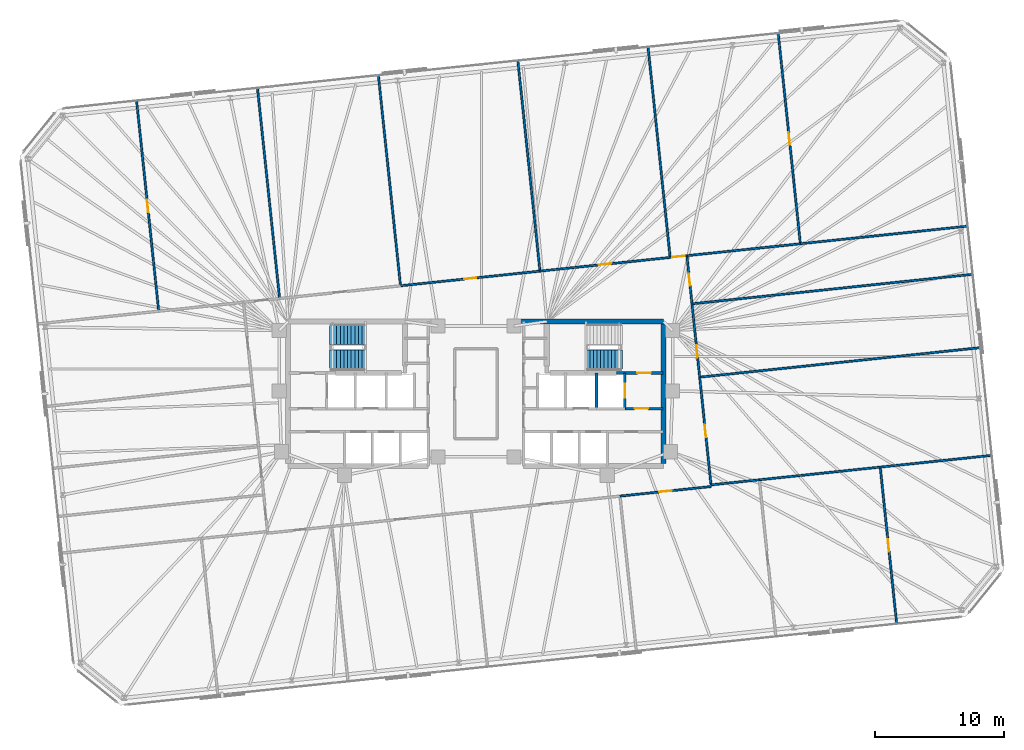
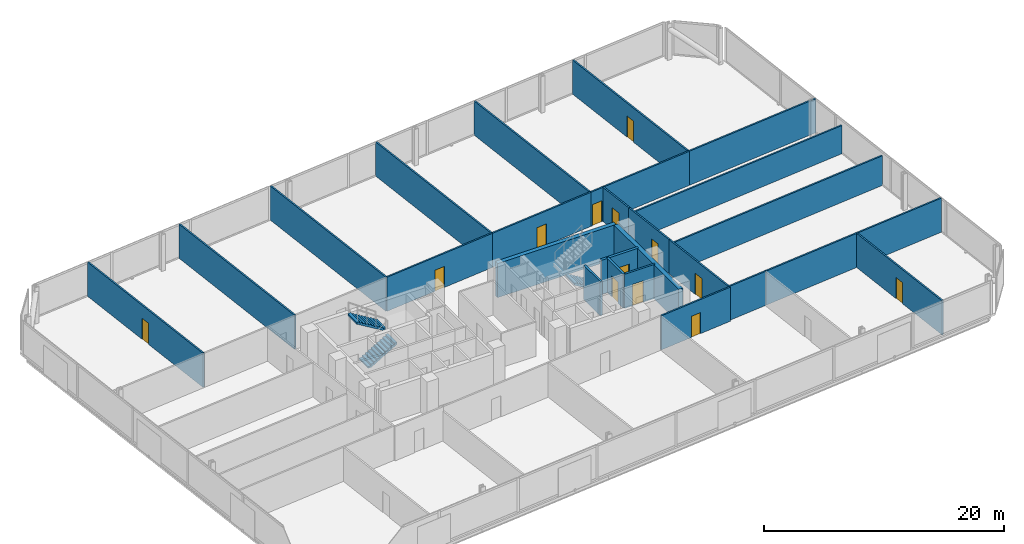
# One storey, part 16 of 18: 27 walls, 13 doors, 3 stair flights, 13 openings, 2 elements without a shape of their own.
"""IFC4 building model written with IfcOpenShell, lengths in metres."""

from ifc_helpers import new_model, si_unit, direction, frame, frame_2d, origin, place, context, subcontext, project, spatial, polyline, rectangle, outline, extrude, material, layer, layer_set, type_object, element, fill, aggregate, save


model = new_model("IFC4")

# Units and contexts
model_context = context("Model", 3, precision=1e-05, world=origin(), true_north=direction((0.0, 1.0)))
body_context = subcontext(model_context, "Body", "Model", "MODEL_VIEW")
ifc_project = project(units=[si_unit("LENGTHUNIT", "METRE"), si_unit("AREAUNIT", "SQUARE_METRE"), si_unit("VOLUMEUNIT", "CUBIC_METRE"), si_unit("PLANEANGLEUNIT", "RADIAN"), si_unit("MASSUNIT", "GRAM", prefix="KILO")], contexts=[model_context])

# Site, building, storey
site_placement = place(None, origin())
site = spatial("IfcSite", under=ifc_project, at=site_placement, CompositionType="ELEMENT")
building_placement = place(site_placement, origin())
building = spatial("IfcBuilding", under=site, at=building_placement, Name="Menara Jurai Vektor", CompositionType="ELEMENT")
storey_placement = place(building_placement, frame((0.0, 0.0, 98.5)))
storey = spatial("IfcBuildingStorey", under=building, at=storey_placement, Name="L24", CompositionType="ELEMENT", Elevation=98.5)

# Wall, opening, door
ifc_material_1 = material(Name="Concrete C40/50", Category="concrete")
ifc_layer_1 = layer(ifc_material_1, 0.25)
ifc_layer_set_1 = layer_set([ifc_layer_1], Name="Concrete C40/50")
wall_type_1 = type_object("IfcWallType", Name="INT-WALL-CORE-250", PredefinedType="STANDARD", material=ifc_layer_set_1)
wall_1_placement = place(storey_placement, frame((10.89990234375, 1.60009765625, 0.0), z_axis=(0.0, 0.0, 1.0), x_axis=(1.0, 0.0, 0.0)))
wall_1 = element("IfcWall", 1, at=wall_1_placement, inside=storey, type_object=wall_type_1, Name="Interior Wall IW-250 L24", PredefinedType="STANDARD", context=body_context, shape_type="SweptSolid", body=[
    extrude(rectangle(XDim=3.60009765625, YDim=0.25, at=frame_2d((1.800048828125, 0.0))), origin(), (0.0, 0.0, 1.0), 3.47509765625),
])
opening_1_placement = place(wall_1_placement, frame((1.6201171875, 0.0, 0.0)))
opening_1 = element("IfcOpeningElement", 2, at=opening_1_placement, cuts=wall_1, Name="Opening D-L24-ST2", PredefinedType="OPENING", context=body_context, shape_type="SweptSolid", body=[
    extrude(rectangle(XDim=1.050048828125, YDim=2.14990234375, at=frame_2d((0.52490234375, 1.074951171875))), frame((0.0, 0.135009765625, 0.0), z_axis=(0.0, -1.0, 0.0), x_axis=(1.0, 0.0, 0.0)), (0.0, 0.0, 1.0), 0.27001953125),
])
ifc_material_2 = material(Name="Fire-Rated Steel Door", Category="steel")
door_type_1 = type_object("IfcDoorType", Name="DR-STAIR-1050", OperationType="NOTDEFINED", PredefinedType="DOOR", material=ifc_material_2)
door_1_placement = place(opening_1_placement, origin())
door_1 = element("IfcDoor", 3, at=door_1_placement, inside=storey, type_object=door_type_1, Name="Exit Stair ST2 Door L24", OperationType="SINGLE_SWING_LEFT", OverallHeight=2.14990234375, OverallWidth=1.050048828125, PredefinedType="DOOR", context=body_context, shape_type="SweptSolid", body=[
    extrude(rectangle(XDim=1.050048828125, YDim=2.14990234375, at=frame_2d((0.52490234375, 1.074951171875))), frame((0.0, 0.02490234375, 0.0), z_axis=(0.0, -1.0, 0.0), x_axis=(1.0, 0.0, 0.0)), (0.0, 0.0, 1.0), 0.050048828125),
])
fill(opening_1, door_1)

wall_2_placement = place(storey_placement, frame((11.550048828125, -1.14990234375, 0.0), z_axis=(0.0, 0.0, 1.0), x_axis=(0.0, 1.0, 0.0)))
wall_2 = element("IfcWall", 4, at=wall_2_placement, inside=storey, type_object=wall_type_1, Name="Interior Wall IW-250 L24", PredefinedType="STANDARD", context=body_context, shape_type="SweptSolid", body=[
    extrude(rectangle(XDim=2.75, YDim=0.199951171875, at=frame_2d((1.375, 0.0))), origin(), (0.0, 0.0, 1.0), 3.47509765625),
])
opening_2_placement = place(wall_2_placement, frame((0.824951171875, 0.0, 0.0)))
opening_2 = element("IfcOpeningElement", 5, at=opening_2_placement, cuts=wall_2, Name="Opening LD-L24-FL2", PredefinedType="OPENING", context=body_context, shape_type="SweptSolid", body=[
    extrude(rectangle(XDim=1.10009765625, YDim=2.14990234375, at=frame_2d((0.550048828125, 1.074951171875))), frame((0.0, 0.10986328125, 0.0), z_axis=(0.0, -1.0, 0.0), x_axis=(1.0, 0.0, 0.0)), (0.0, 0.0, 1.0), 0.219970703125),
])
ifc_material_3 = material(Name="Stainless Steel Sliding Lift Landing Door", Category="steel")
door_type_2 = type_object("IfcDoorType", Name="DR-LIFT-FIRE-1100", OperationType="NOTDEFINED", PredefinedType="DOOR", material=ifc_material_3)
door_2_placement = place(opening_2_placement, origin())
door_2 = element("IfcDoor", 6, at=door_2_placement, inside=storey, type_object=door_type_2, Name="Lift Landing Door FL2 L24", OperationType="SLIDING_TO_RIGHT", OverallHeight=2.14990234375, OverallWidth=1.10009765625, PredefinedType="DOOR", context=body_context, shape_type="SweptSolid", body=[
    extrude(rectangle(XDim=1.10009765625, YDim=2.14990234375, at=frame_2d((0.550048828125, 1.074951171875))), frame((0.0, 0.02490234375, 0.0), z_axis=(0.0, -1.0, 0.0), x_axis=(1.0, 0.0, 0.0)), (0.0, 0.0, 1.0), 0.050048828125),
])
fill(opening_2, door_2)

# Wall
wall_3_placement = place(storey_placement, frame((9.35009765625, -1.14990234375, 0.0), z_axis=(0.0, 0.0, 1.0), x_axis=(0.0, 1.0, 0.0)))
element("IfcWall", 7, at=wall_3_placement, inside=storey, type_object=wall_type_1, Name="Interior Wall IW-250 L24", PredefinedType="STANDARD", context=body_context, shape_type="SweptSolid", body=[
    extrude(rectangle(XDim=2.75, YDim=0.199951171875, at=frame_2d((1.375, 0.0))), origin(), (0.0, 0.0, 1.0), 3.47509765625),
])

# Wall, opening, door
wall_4_placement = place(storey_placement, frame((11.550048828125, -1.14990234375, 0.0), z_axis=(0.0, 0.0, 1.0), x_axis=(1.0, 0.0, 0.0)))
wall_4 = element("IfcWall", 8, at=wall_4_placement, inside=storey, type_object=wall_type_1, Name="Interior Wall IW-250 L24", PredefinedType="STANDARD", context=body_context, shape_type="SweptSolid", body=[
    extrude(rectangle(XDim=2.949951171875, YDim=0.199951171875, at=frame_2d((1.47509765625, 0.0))), origin(), (0.0, 0.0, 1.0), 3.47509765625),
])
opening_3_placement = place(wall_4_placement, frame((0.75, 0.0, 0.0)))
opening_3 = element("IfcOpeningElement", 9, at=opening_3_placement, cuts=wall_4, Name="Opening D-L24-FFE", PredefinedType="OPENING", context=body_context, shape_type="SweptSolid", body=[
    extrude(rectangle(XDim=1.050048828125, YDim=2.179931640625, at=frame_2d((0.52490234375, 1.08984375))), frame((0.0, 0.10986328125, 0.0), z_axis=(0.0, -1.0, 0.0), x_axis=(1.0, 0.0, 0.0)), (0.0, 0.0, 1.0), 0.219970703125),
])
ifc_material_4 = material(Name="Fire-Rated Timber Door", Category="wood")
door_type_3 = type_object("IfcDoorType", Name="DR-LOBBY-1050", OperationType="NOTDEFINED", PredefinedType="DOOR", material=ifc_material_4)
door_3_placement = place(opening_3_placement, origin())
door_3 = element("IfcDoor", 10, at=door_3_placement, inside=storey, type_object=door_type_3, Name="Fire Lift Lobby Door E L24", OperationType="SINGLE_SWING_LEFT", OverallHeight=2.179931640625, OverallWidth=1.050048828125, PredefinedType="DOOR", context=body_context, shape_type="SweptSolid", body=[
    extrude(rectangle(XDim=1.050048828125, YDim=2.179931640625, at=frame_2d((0.52490234375, 1.08984375))), frame((0.0, 0.02490234375, 0.0), z_axis=(0.0, -1.0, 0.0), x_axis=(1.0, 0.0, 0.0)), (0.0, 0.0, 1.0), 0.050048828125),
])
fill(opening_3, door_3)

ifc_material_5 = material(Name="Gypsum Fireboard Partition", Category="gypsum")
ifc_layer_2 = layer(ifc_material_5, 0.14990234375)
ifc_layer_set_2 = layer_set([ifc_layer_2], Name="Gypsum Fireboard Partition")
wall_type_2 = type_object("IfcWallType", Name="INT-WALL-CORR-150", PredefinedType="PARTITIONING", material=ifc_layer_set_2)
wall_5_placement = place(storey_placement, frame((-5.846435546875, 8.369873046875, 0.0), z_axis=(0.0, 0.0, 1.0), x_axis=(0.994522169869, 0.104525851533, 0.0)))
wall_5 = element("IfcWall", 11, at=wall_5_placement, inside=storey, type_object=wall_type_2, Name="Interior Wall IW-150 L24", PredefinedType="PARTITIONING", context=body_context, shape_type="SweptSolid", body=[
    extrude(rectangle(XDim=10.875, YDim=0.14990234375, at=frame_2d((5.4375, 0.0))), origin(), (0.0, 0.0, 1.0), 3.47509765625),
])
opening_4_placement = place(wall_5_placement, frame((4.96240234375, 0.0, 0.0)))
opening_4 = element("IfcOpeningElement", 12, at=opening_4_placement, cuts=wall_5, Name="Opening D24-11", PredefinedType="OPENING", context=body_context, shape_type="SweptSolid", body=[
    extrude(rectangle(XDim=0.949951171875, YDim=2.14990234375, at=frame_2d((0.47509765625, 1.074951171875))), frame((0.0, 0.0849609375, 0.0), z_axis=(0.0, -1.0, 0.0), x_axis=(1.0, 0.0, 0.0)), (0.0, 0.0, 1.0), 0.169921875),
])
ifc_material_6 = material(Name="Solid Core Timber Fire Door", Category="wood")
door_type_4 = type_object("IfcDoorType", Name="DR-ENTRY-950", OperationType="NOTDEFINED", PredefinedType="DOOR", material=ifc_material_6)
door_4_placement = place(opening_4_placement, origin())
door_4 = element("IfcDoor", 13, at=door_4_placement, inside=storey, type_object=door_type_4, Name="Interior Door D24-11", OperationType="SINGLE_SWING_RIGHT", OverallHeight=2.14990234375, OverallWidth=0.949951171875, PredefinedType="DOOR", context=body_context, shape_type="SweptSolid", body=[
    extrude(rectangle(XDim=0.949951171875, YDim=2.14990234375, at=frame_2d((0.47509765625, 1.074951171875))), frame((0.0, 0.02490234375, 0.0), z_axis=(0.0, -1.0, 0.0), x_axis=(1.0, 0.0, 0.0)), (0.0, 0.0, 1.0), 0.050048828125),
])
fill(opening_4, door_4)

wall_6_placement = place(storey_placement, frame((4.968994140625, 9.506591796875, 0.0), z_axis=(0.0, 0.0, 1.0), x_axis=(0.994521257273, 0.104534534165, 0.0)))
wall_6 = element("IfcWall", 14, at=wall_6_placement, inside=storey, type_object=wall_type_2, Name="Interior Wall IW-150 L24", PredefinedType="PARTITIONING", context=body_context, shape_type="SweptSolid", body=[
    extrude(rectangle(XDim=10.150146484375, YDim=0.14990234375, at=frame_2d((5.0751953125, 0.0))), origin(), (0.0, 0.0, 1.0), 3.47509765625),
])
opening_5_placement = place(wall_6_placement, frame((4.60009765625, 0.0, 0.0)))
opening_5 = element("IfcOpeningElement", 15, at=opening_5_placement, cuts=wall_6, Name="Opening D24-12", PredefinedType="OPENING", context=body_context, shape_type="SweptSolid", body=[
    extrude(rectangle(XDim=0.949951171875, YDim=2.14990234375, at=frame_2d((0.47509765625, 1.074951171875))), frame((0.0, 0.0849609375, 0.0), z_axis=(0.0, -1.0, 0.0), x_axis=(1.0, 0.0, 0.0)), (0.0, 0.0, 1.0), 0.169921875),
])
door_5_placement = place(opening_5_placement, origin())
door_5 = element("IfcDoor", 16, at=door_5_placement, inside=storey, type_object=door_type_4, Name="Interior Door D24-12", OperationType="SINGLE_SWING_LEFT", OverallHeight=2.14990234375, OverallWidth=0.949951171875, PredefinedType="DOOR", context=body_context, shape_type="SweptSolid", body=[
    extrude(rectangle(XDim=0.949951171875, YDim=2.14990234375, at=frame_2d((0.47509765625, 1.074951171875))), frame((0.0, 0.02490234375, 0.0), z_axis=(0.0, -1.0, 0.0), x_axis=(1.0, 0.0, 0.0)), (0.0, 0.0, 1.0), 0.050048828125),
])
fill(opening_5, door_5)

wall_7_placement = place(storey_placement, frame((15.0634765625, 10.567626953125, 0.0), z_axis=(0.0, 0.0, 1.0), x_axis=(0.994533054704, 0.104422234707, 0.0)))
wall_7 = element("IfcWall", 17, at=wall_7_placement, inside=storey, type_object=wall_type_2, Name="Interior Wall IW-150 L24", PredefinedType="PARTITIONING", context=body_context, shape_type="SweptSolid", body=[
    extrude(rectangle(XDim=1.306884765625, YDim=0.14990234375, at=frame_2d((0.6533203125, 0.0))), origin(), (0.0, 0.0, 1.0), 3.47509765625),
])
opening_6_placement = place(wall_7_placement, frame((0.178466796875, 0.0, 0.0)))
opening_6 = element("IfcOpeningElement", 18, at=opening_6_placement, cuts=wall_7, Name="Opening D24-13", PredefinedType="OPENING", context=body_context, shape_type="SweptSolid", body=[
    extrude(rectangle(XDim=0.949951171875, YDim=2.14990234375, at=frame_2d((0.47509765625, 1.074951171875))), frame((0.0, 0.0849609375, 0.0), z_axis=(0.0, -1.0, 0.0), x_axis=(1.0, 0.0, 0.0)), (0.0, 0.0, 1.0), 0.169921875),
])
door_6_placement = place(opening_6_placement, origin())
door_6 = element("IfcDoor", 19, at=door_6_placement, inside=storey, type_object=door_type_4, Name="Interior Door D24-13", OperationType="SINGLE_SWING_RIGHT", OverallHeight=2.14990234375, OverallWidth=0.949951171875, PredefinedType="DOOR", context=body_context, shape_type="SweptSolid", body=[
    extrude(rectangle(XDim=0.949951171875, YDim=2.14990234375, at=frame_2d((0.47509765625, 1.074951171875))), frame((0.0, 0.02490234375, 0.0), z_axis=(0.0, -1.0, 0.0), x_axis=(1.0, 0.0, 0.0)), (0.0, 0.0, 1.0), 0.050048828125),
])
fill(opening_6, door_6)

wall_8_placement = place(storey_placement, frame((11.176513671875, -7.93798828125, 0.0), z_axis=(0.0, 0.0, 1.0), x_axis=(0.994525011473, 0.104498811264, 0.0)))
wall_8 = element("IfcWall", 20, at=wall_8_placement, inside=storey, type_object=wall_type_2, Name="Interior Wall IW-150 L24", PredefinedType="PARTITIONING", context=body_context, shape_type="SweptSolid", body=[
    extrude(rectangle(XDim=7.10693359375, YDim=0.14990234375, at=frame_2d((3.553466796875, 0.0))), origin(), (0.0, 0.0, 1.0), 3.47509765625),
])
opening_7_placement = place(wall_8_placement, frame((3.07861328125, 0.0, 0.0)))
opening_7 = element("IfcOpeningElement", 21, at=opening_7_placement, cuts=wall_8, Name="Opening D24-17", PredefinedType="OPENING", context=body_context, shape_type="SweptSolid", body=[
    extrude(rectangle(XDim=0.949951171875, YDim=2.14990234375, at=frame_2d((0.47509765625, 1.074951171875))), frame((0.0, 0.0849609375, 0.0), z_axis=(0.0, -1.0, 0.0), x_axis=(1.0, 0.0, 0.0)), (0.0, 0.0, 1.0), 0.169921875),
])
door_7_placement = place(opening_7_placement, origin())
door_7 = element("IfcDoor", 22, at=door_7_placement, inside=storey, type_object=door_type_4, Name="Interior Door D24-17", OperationType="SINGLE_SWING_RIGHT", OverallHeight=2.14990234375, OverallWidth=0.949951171875, PredefinedType="DOOR", context=body_context, shape_type="SweptSolid", body=[
    extrude(rectangle(XDim=0.949951171875, YDim=2.14990234375, at=frame_2d((0.47509765625, 1.074951171875))), frame((0.0, 0.02490234375, 0.0), z_axis=(0.0, -1.0, 0.0), x_axis=(1.0, 0.0, 0.0)), (0.0, 0.0, 1.0), 0.050048828125),
])
fill(opening_7, door_7)

wall_9_placement = place(storey_placement, frame((18.231201171875, -7.06787109375, 0.0), z_axis=(0.0, 0.0, 1.0), x_axis=(-0.104527419485, 0.994522005074, 0.0)))
wall_9 = element("IfcWall", 23, at=wall_9_placement, inside=storey, type_object=wall_type_2, Name="Interior Wall IW-150 L24", PredefinedType="PARTITIONING", context=body_context, shape_type="SweptSolid", body=[
    extrude(rectangle(XDim=8.39892578125, YDim=0.14990234375, at=frame_2d((4.199462890625, 0.0))), origin(), (0.0, 0.0, 1.0), 3.47509765625),
])
opening_8_placement = place(wall_9_placement, frame((3.724609375, 0.0, 0.0)))
opening_8 = element("IfcOpeningElement", 24, at=opening_8_placement, cuts=wall_9, Name="Opening D24-22", PredefinedType="OPENING", context=body_context, shape_type="SweptSolid", body=[
    extrude(rectangle(XDim=0.949951171875, YDim=2.14990234375, at=frame_2d((0.47509765625, 1.074951171875))), frame((0.0, 0.0849609375, 0.0), z_axis=(0.0, -1.0, 0.0), x_axis=(1.0, 0.0, 0.0)), (0.0, 0.0, 1.0), 0.169921875),
])
door_8_placement = place(opening_8_placement, origin())
door_8 = element("IfcDoor", 25, at=door_8_placement, inside=storey, type_object=door_type_4, Name="Interior Door D24-22", OperationType="SINGLE_SWING_LEFT", OverallHeight=2.14990234375, OverallWidth=0.949951171875, PredefinedType="DOOR", context=body_context, shape_type="SweptSolid", body=[
    extrude(rectangle(XDim=0.949951171875, YDim=2.14990234375, at=frame_2d((0.47509765625, 1.074951171875))), frame((0.0, 0.02490234375, 0.0), z_axis=(0.0, -1.0, 0.0), x_axis=(1.0, 0.0, 0.0)), (0.0, 0.0, 1.0), 0.050048828125),
])
fill(opening_8, door_8)

wall_10_placement = place(storey_placement, frame((17.353271484375, 1.28515625, 0.0), z_axis=(0.0, 0.0, 1.0), x_axis=(-0.104524753323, 0.994522285292, 0.0)))
wall_10 = element("IfcWall", 26, at=wall_10_placement, inside=storey, type_object=wall_type_2, Name="Interior Wall IW-150 L24", PredefinedType="PARTITIONING", context=body_context, shape_type="SweptSolid", body=[
    extrude(rectangle(XDim=5.7177734375, YDim=0.14990234375, at=frame_2d((2.85888671875, 0.0))), origin(), (0.0, 0.0, 1.0), 3.47509765625),
])
opening_9_placement = place(wall_10_placement, frame((1.5263671875, 0.0, 0.0)))
opening_9 = element("IfcOpeningElement", 27, at=opening_9_placement, cuts=wall_10, Name="Opening D24-23", PredefinedType="OPENING", context=body_context, shape_type="SweptSolid", body=[
    extrude(rectangle(XDim=0.949951171875, YDim=2.14990234375, at=frame_2d((0.47509765625, 1.074951171875))), frame((0.0, 0.0849609375, 0.0), z_axis=(0.0, -1.0, 0.0), x_axis=(1.0, 0.0, 0.0)), (0.0, 0.0, 1.0), 0.169921875),
])
door_9_placement = place(opening_9_placement, origin())
door_9 = element("IfcDoor", 28, at=door_9_placement, inside=storey, type_object=door_type_4, Name="Interior Door D24-23", OperationType="SINGLE_SWING_RIGHT", OverallHeight=2.14990234375, OverallWidth=0.949951171875, PredefinedType="DOOR", context=body_context, shape_type="SweptSolid", body=[
    extrude(rectangle(XDim=0.949951171875, YDim=2.14990234375, at=frame_2d((0.47509765625, 1.074951171875))), frame((0.0, 0.02490234375, 0.0), z_axis=(0.0, -1.0, 0.0), x_axis=(1.0, 0.0, 0.0)), (0.0, 0.0, 1.0), 0.050048828125),
])
fill(opening_9, door_9)

wall_11_placement = place(storey_placement, frame((16.755615234375, 6.9716796875, 0.0), z_axis=(0.0, 0.0, 1.0), x_axis=(-0.104539173002, 0.994520769671, 0.0)))
wall_11 = element("IfcWall", 29, at=wall_11_placement, inside=storey, type_object=wall_type_2, Name="Interior Wall IW-150 L24", PredefinedType="PARTITIONING", context=body_context, shape_type="SweptSolid", body=[
    extrude(rectangle(XDim=3.7529296875, YDim=0.14990234375, at=frame_2d((1.87646484375, 0.0))), origin(), (0.0, 0.0, 1.0), 3.47509765625),
])
opening_10_placement = place(wall_11_placement, frame((1.401611328125, 0.0, 0.0)))
opening_10 = element("IfcOpeningElement", 30, at=opening_10_placement, cuts=wall_11, Name="Opening D24-24", PredefinedType="OPENING", context=body_context, shape_type="SweptSolid", body=[
    extrude(rectangle(XDim=0.949951171875, YDim=2.14990234375, at=frame_2d((0.47509765625, 1.074951171875))), frame((0.0, 0.0849609375, 0.0), z_axis=(0.0, -1.0, 0.0), x_axis=(1.0, 0.0, 0.0)), (0.0, 0.0, 1.0), 0.169921875),
])
door_10_placement = place(opening_10_placement, origin())
door_10 = element("IfcDoor", 31, at=door_10_placement, inside=storey, type_object=door_type_4, Name="Interior Door D24-24", OperationType="SINGLE_SWING_LEFT", OverallHeight=2.14990234375, OverallWidth=0.949951171875, PredefinedType="DOOR", context=body_context, shape_type="SweptSolid", body=[
    extrude(rectangle(XDim=0.949951171875, YDim=2.14990234375, at=frame_2d((0.47509765625, 1.074951171875))), frame((0.0, 0.02490234375, 0.0), z_axis=(0.0, -1.0, 0.0), x_axis=(1.0, 0.0, 0.0)), (0.0, 0.0, 1.0), 0.050048828125),
])
fill(opening_10, door_10)

wall_12_placement = place(storey_placement, frame((-24.593017578125, 6.3994140625, 0.0), z_axis=(0.0, 0.0, 1.0), x_axis=(-0.104534533453, 0.994521257347, 0.0)))
wall_12 = element("IfcWall", 32, at=wall_12_placement, inside=storey, type_object=wall_type_2, Name="Interior Wall IW-150 L24", PredefinedType="PARTITIONING", context=body_context, shape_type="SweptSolid", body=[
    extrude(rectangle(XDim=16.4091796875, YDim=0.14990234375, at=frame_2d((8.20458984375, 0.0))), origin(), (0.0, 0.0, 1.0), 3.47509765625),
])
opening_11_placement = place(wall_12_placement, frame((7.7294921875, 0.0, 0.0)))
opening_11 = element("IfcOpeningElement", 33, at=opening_11_placement, cuts=wall_12, Name="Opening D24-25", PredefinedType="OPENING", context=body_context, shape_type="SweptSolid", body=[
    extrude(rectangle(XDim=0.949951171875, YDim=2.14990234375, at=frame_2d((0.47509765625, 1.074951171875))), frame((0.0, 0.0849609375, 0.0), z_axis=(0.0, -1.0, 0.0), x_axis=(1.0, 0.0, 0.0)), (0.0, 0.0, 1.0), 0.169921875),
])
door_11_placement = place(opening_11_placement, origin())
door_11 = element("IfcDoor", 34, at=door_11_placement, inside=storey, type_object=door_type_4, Name="Interior Door D24-25", OperationType="SINGLE_SWING_RIGHT", OverallHeight=2.14990234375, OverallWidth=0.949951171875, PredefinedType="DOOR", context=body_context, shape_type="SweptSolid", body=[
    extrude(rectangle(XDim=0.949951171875, YDim=2.14990234375, at=frame_2d((0.47509765625, 1.074951171875))), frame((0.0, 0.02490234375, 0.0), z_axis=(0.0, -1.0, 0.0), x_axis=(1.0, 0.0, 0.0)), (0.0, 0.0, 1.0), 0.050048828125),
])
fill(opening_11, door_11)

# Walls
for number, where, z_axis, x_axis, name in (
    (35, (-15.2197265625, 7.384765625, 0.0), (0.0, 0.0, 1.0), (-0.104536080245, 0.994521094762, 0.0), "Interior Wall IW-150 L24"),
    (36, (-5.846435546875, 8.369873046875, 0.0), (0.0, 0.0, 1.0), (-0.104521364336, 0.99452264147, 0.0), "Interior Wall IW-150 L24"),
    (37, (4.968994140625, 9.506591796875, 0.0), (0.0, 0.0, 1.0), (-0.104521364336, 0.99452264147, 0.0), "Interior Wall IW-150 L24"),
    (38, (15.0634765625, 10.567626953125, 0.0), (0.0, 0.0, 1.0), (-0.104536080245, 0.994521094762, 0.0), "Interior Wall IW-150 L24"),
):
    element("IfcWall", number, at=place(storey_placement, frame(where, z_axis=z_axis, x_axis=x_axis)), inside=storey, type_object=wall_type_2, Name=name, PredefinedType="PARTITIONING", context=body_context, shape_type="SweptSolid", body=[
        extrude(rectangle(XDim=16.408935546875, YDim=0.14990234375, at=frame_2d((8.20458984375, 0.0))), origin(), (0.0, 0.0, 1.0), 3.47509765625),
    ])

# Wall, opening, door
wall_13_placement = place(storey_placement, frame((25.15771484375, 11.628662109375, 0.0), z_axis=(0.0, 0.0, 1.0), x_axis=(-0.104521364336, 0.99452264147, 0.0)))
wall_13 = element("IfcWall", 39, at=wall_13_placement, inside=storey, type_object=wall_type_2, Name="Interior Wall IW-150 L24", PredefinedType="PARTITIONING", context=body_context, shape_type="SweptSolid", body=[
    extrude(rectangle(XDim=16.408935546875, YDim=0.14990234375, at=frame_2d((8.20458984375, 0.0))), origin(), (0.0, 0.0, 1.0), 3.47509765625),
])
opening_12_placement = place(wall_13_placement, frame((7.7294921875, 0.0, 0.0)))
opening_12 = element("IfcOpeningElement", 40, at=opening_12_placement, cuts=wall_13, Name="Opening D24-26", PredefinedType="OPENING", context=body_context, shape_type="SweptSolid", body=[
    extrude(rectangle(XDim=0.949951171875, YDim=2.14990234375, at=frame_2d((0.47509765625, 1.074951171875))), frame((0.0, 0.0849609375, 0.0), z_axis=(0.0, -1.0, 0.0), x_axis=(1.0, 0.0, 0.0)), (0.0, 0.0, 1.0), 0.169921875),
])
door_12_placement = place(opening_12_placement, origin())
door_12 = element("IfcDoor", 41, at=door_12_placement, inside=storey, type_object=door_type_4, Name="Interior Door D24-26", OperationType="SINGLE_SWING_LEFT", OverallHeight=2.14990234375, OverallWidth=0.949951171875, PredefinedType="DOOR", context=body_context, shape_type="SweptSolid", body=[
    extrude(rectangle(XDim=0.949951171875, YDim=2.14990234375, at=frame_2d((0.47509765625, 1.074951171875))), frame((0.0, 0.02490234375, 0.0), z_axis=(0.0, -1.0, 0.0), x_axis=(1.0, 0.0, 0.0)), (0.0, 0.0, 1.0), 0.050048828125),
])
fill(opening_12, door_12)

# Walls
wall_14_placement = place(storey_placement, frame((16.36328125, 10.7041015625, 0.0), z_axis=(0.0, 0.0, 1.0), x_axis=(0.994519210833, 0.104554001761, 0.0)))
element("IfcWall", 42, at=wall_14_placement, inside=storey, type_object=wall_type_2, Name="Interior Wall IW-150 L24", PredefinedType="PARTITIONING", context=body_context, shape_type="SweptSolid", body=[
    extrude(rectangle(XDim=8.843017578125, YDim=0.14990234375, at=frame_2d((4.42138671875, 0.0))), origin(), (0.0, 0.0, 1.0), 3.47509765625),
])
wall_15_placement = place(storey_placement, frame((25.15771484375, 11.628662109375, 0.0), z_axis=(0.0, 0.0, 1.0), x_axis=(0.994522558816, 0.104522150792, 0.0)))
element("IfcWall", 43, at=wall_15_placement, inside=storey, type_object=wall_type_2, Name="Interior Wall IW-150 L24", PredefinedType="PARTITIONING", context=body_context, shape_type="SweptSolid", body=[
    extrude(rectangle(XDim=13.050048828125, YDim=0.14990234375, at=frame_2d((6.52490234375, 0.0))), origin(), (0.0, 0.0, 1.0), 3.47509765625),
])
wall_16_placement = place(storey_placement, frame((18.231201171875, -7.06787109375, 0.0), z_axis=(0.0, 0.0, 1.0), x_axis=(0.99452354487, 0.10451276812, 0.0)))
element("IfcWall", 44, at=wall_16_placement, inside=storey, type_object=wall_type_2, Name="Interior Wall IW-150 L24", PredefinedType="PARTITIONING", context=body_context, shape_type="SweptSolid", body=[
    extrude(rectangle(XDim=3.76806640625, YDim=0.14990234375, at=frame_2d((1.884033203125, 0.0))), origin(), (0.0, 0.0, 1.0), 3.47509765625),
])

# Wall, opening, door
wall_17_placement = place(storey_placement, frame((32.62939453125, -17.843017578125, 0.0), z_axis=(0.0, 0.0, 1.0), x_axis=(-0.104538159751, 0.994520876179, 0.0)))
wall_17 = element("IfcWall", 45, at=wall_17_placement, inside=storey, type_object=wall_type_2, Name="Interior Wall IW-150 L24", PredefinedType="PARTITIONING", context=body_context, shape_type="SweptSolid", body=[
    extrude(rectangle(XDim=12.22119140625, YDim=0.14990234375, at=frame_2d((6.110595703125, 0.0))), origin(), (0.0, 0.0, 1.0), 3.47509765625),
])
opening_13_placement = place(wall_17_placement, frame((5.635498046875, 0.0, 0.0)))
opening_13 = element("IfcOpeningElement", 46, at=opening_13_placement, cuts=wall_17, Name="Opening D24-29", PredefinedType="OPENING", context=body_context, shape_type="SweptSolid", body=[
    extrude(rectangle(XDim=0.949951171875, YDim=2.14990234375, at=frame_2d((0.47509765625, 1.074951171875))), frame((0.0, 0.0849609375, 0.0), z_axis=(0.0, -1.0, 0.0), x_axis=(1.0, 0.0, 0.0)), (0.0, 0.0, 1.0), 0.169921875),
])
door_13_placement = place(opening_13_placement, origin())
door_13 = element("IfcDoor", 47, at=door_13_placement, inside=storey, type_object=door_type_4, Name="Interior Door D24-29", OperationType="SINGLE_SWING_RIGHT", OverallHeight=2.14990234375, OverallWidth=0.949951171875, PredefinedType="DOOR", context=body_context, shape_type="SweptSolid", body=[
    extrude(rectangle(XDim=0.949951171875, YDim=2.14990234375, at=frame_2d((0.47509765625, 1.074951171875))), frame((0.0, 0.02490234375, 0.0), z_axis=(0.0, -1.0, 0.0), x_axis=(1.0, 0.0, 0.0)), (0.0, 0.0, 1.0), 0.050048828125),
])
fill(opening_13, door_13)

# Walls
wall_18_placement = place(storey_placement, frame((21.978515625, -6.674072265625, 0.0), z_axis=(0.0, 0.0, 1.0), x_axis=(0.994519921083, 0.10454724563, 0.0)))
element("IfcWall", 48, at=wall_18_placement, inside=storey, type_object=wall_type_2, Name="Interior Wall IW-150 L24", PredefinedType="PARTITIONING", context=body_context, shape_type="SweptSolid", body=[
    extrude(rectangle(XDim=9.425048828125, YDim=0.14990234375, at=frame_2d((4.71240234375, 0.0))), origin(), (0.0, 0.0, 1.0), 3.47509765625),
])
wall_19_placement = place(storey_placement, frame((31.351806640625, -5.688720703125, 0.0), z_axis=(0.0, 0.0, 1.0), x_axis=(0.994521893041, 0.104528485415, 0.0)))
element("IfcWall", 49, at=wall_19_placement, inside=storey, type_object=wall_type_2, Name="Interior Wall IW-150 L24", PredefinedType="PARTITIONING", context=body_context, shape_type="SweptSolid", body=[
    extrude(rectangle(XDim=8.7001953125, YDim=0.14990234375, at=frame_2d((4.35009765625, 0.0))), origin(), (0.0, 0.0, 1.0), 3.47509765625),
])
ifc_layer_3 = layer(ifc_material_5, 0.14990234375)
ifc_layer_set_3 = layer_set([ifc_layer_3], Name="Gypsum Fireboard Partition")
wall_type_3 = type_object("IfcWallType", Name="INT-WALL-CORR-150-H1", PredefinedType="PARTITIONING", material=ifc_layer_set_3)
wall_20_placement = place(storey_placement, frame((17.353271484375, 1.28515625, 0.0), z_axis=(0.0, 0.0, 1.0), x_axis=(0.994522365919, 0.104523986183, 0.0)))
element("IfcWall", 50, at=wall_20_placement, inside=storey, type_object=wall_type_3, Name="Interior Wall IW-150 L24", PredefinedType="PARTITIONING", context=body_context, shape_type="SweptSolid", body=[
    extrude(rectangle(XDim=21.892822265625, YDim=0.14990234375, at=frame_2d((10.9462890625, 0.0))), origin(), (0.0, 0.0, 1.0), 3.02490234375),
])
ifc_layer_4 = layer(ifc_material_5, 0.14990234375)
ifc_layer_set_4 = layer_set([ifc_layer_4], Name="Gypsum Fireboard Partition")
wall_type_4 = type_object("IfcWallType", Name="INT-WALL-CORR-150-H2", PredefinedType="PARTITIONING", material=ifc_layer_set_4)
wall_21_placement = place(storey_placement, frame((16.755615234375, 6.9716796875, 0.0), z_axis=(0.0, 0.0, 1.0), x_axis=(0.994521206634, 0.104535015934, 0.0)))
element("IfcWall", 51, at=wall_21_placement, inside=storey, type_object=wall_type_4, Name="Interior Wall IW-150 L24", PredefinedType="PARTITIONING", context=body_context, shape_type="SweptSolid", body=[
    extrude(rectangle(XDim=21.892822265625, YDim=0.14990234375, at=frame_2d((10.9462890625, 0.0))), origin(), (0.0, 0.0, 1.0), 2.875),
])
ifc_material_7 = material(Name="Concrete C50/60", Category="concrete")
ifc_layer_5 = layer(ifc_material_7, 0.39990234375)
ifc_layer_set_5 = layer_set([ifc_layer_5], Name="Concrete C50/60")
wall_type_5 = type_object("IfcWallType", Name="STR-WALL-CORE400", PredefinedType="SHEAR", material=ifc_layer_set_5)
wall_22_placement = place(storey_placement, frame((3.14990234375, 5.60009765625, 0.0), z_axis=(0.0, 0.0, 1.0), x_axis=(1.0, 0.0, 0.0)))
element("IfcWall", 52, at=wall_22_placement, inside=storey, type_object=wall_type_5, Name="Core Shear Wall CW-E-N L24", PredefinedType="SHEAR", context=body_context, shape_type="SweptSolid", body=[
    extrude(rectangle(XDim=11.41015625, YDim=0.39990234375, at=frame_2d((5.705078125, 0.0))), origin(), (0.0, 0.0, 1.0), 3.47509765625),
])
wall_23_placement = place(storey_placement, frame((14.56005859375, -5.39990234375, 0.0), z_axis=(0.0, 0.0, 1.0), x_axis=(0.0, 1.0, 0.0)))
element("IfcWall", 53, at=wall_23_placement, inside=storey, type_object=wall_type_5, Name="Core Shear Wall CW-E-E L24", PredefinedType="SHEAR", context=body_context, shape_type="SweptSolid", body=[
    extrude(rectangle(XDim=10.7998046875, YDim=0.39990234375, at=frame_2d((5.39990234375, 0.0))), origin(), (0.0, 0.0, 1.0), 3.47509765625),
])

# Stair, stair flights
stair_type = type_object("IfcStairType", Name="STAIR-DOGLEG-1500", PredefinedType="HALF_TURN_STAIR", material=ifc_material_1)
stair_1_placement = place(storey_placement, origin())
stair_1 = element("IfcStair", 54, at=stair_1_placement, inside=storey, type_object=stair_type, Name="Protected Exit Stair ST1 L24", PredefinedType="HALF_TURN_STAIR")
stair_flight_type = type_object("IfcStairFlightType", Name="STAIR-FLIGHT-1500", PredefinedType="STRAIGHT", material=ifc_material_1)
stair_flight_1_placement = place(storey_placement, frame((-11.35009765625, 2.64990234375, 0.0), z_axis=(0.0, 0.0, 1.0), x_axis=(1.0, 0.0, 0.0)))
stair_flight_1 = element("IfcStairFlight", 55, at=stair_flight_1_placement, type_object=stair_flight_type, Name="ST1 flight 1", NumberOfRisers=11, NumberOfTreads=10, PredefinedType="STRAIGHT", RiserHeight=0.168182, TreadLength=0.28, context=body_context, shape_type="SweptSolid", body=[
    extrude(outline(polyline([(0.0, 0.0), (0.0, 0.168212890625), (0.280029296875, 0.168212890625), (0.280029296875, 0.33642578125), (0.56005859375, 0.33642578125), (0.56005859375, 0.504638671875), (0.840087890625, 0.504638671875), (0.840087890625, 0.672607421875), (1.1201171875, 0.672607421875), (1.1201171875, 0.8408203125), (1.39990234375, 0.8408203125), (1.39990234375, 1.009033203125), (1.679931640625, 1.009033203125), (1.679931640625, 1.17724609375), (1.9599609375, 1.17724609375), (1.9599609375, 1.345458984375), (2.239990234375, 1.345458984375), (2.239990234375, 1.513671875), (2.52001953125, 1.513671875), (2.52001953125, 1.681884765625), (2.800048828125, 1.681884765625), (2.800048828125, 1.85009765625), (2.800048828125, 1.495361328125), (0.310546875, 0.0), (0.0, 0.0)])), frame((0.0, 0.75, 0.0), z_axis=(0.0, -1.0, 0.0), x_axis=(1.0, 0.0, 0.0)), (0.0, 0.0, 1.0), 1.5),
])
stair_flight_2_placement = place(storey_placement, frame((-8.550048828125, 4.550048828125, 1.85009765625), z_axis=(0.0, 0.0, 1.0), x_axis=(-1.0, 0.0, 0.0)))
stair_flight_2 = element("IfcStairFlight", 56, at=stair_flight_2_placement, type_object=stair_flight_type, Name="ST1 flight 2", NumberOfRisers=11, NumberOfTreads=10, PredefinedType="STRAIGHT", RiserHeight=0.168182, TreadLength=0.28, context=body_context, shape_type="SweptSolid", body=[
    extrude(outline(polyline([(0.0, 0.0), (0.0, 0.168212890625), (0.280029296875, 0.168212890625), (0.280029296875, 0.33642578125), (0.56005859375, 0.33642578125), (0.56005859375, 0.504638671875), (0.840087890625, 0.504638671875), (0.840087890625, 0.672607421875), (1.1201171875, 0.672607421875), (1.1201171875, 0.8408203125), (1.39990234375, 0.8408203125), (1.39990234375, 1.009033203125), (1.679931640625, 1.009033203125), (1.679931640625, 1.17724609375), (1.9599609375, 1.17724609375), (1.9599609375, 1.345458984375), (2.239990234375, 1.345458984375), (2.239990234375, 1.513671875), (2.52001953125, 1.513671875), (2.52001953125, 1.681884765625), (2.800048828125, 1.681884765625), (2.800048828125, 1.85009765625), (2.800048828125, 1.495361328125), (0.310546875, 0.0), (0.0, 0.0)])), frame((0.0, 0.75, 0.0), z_axis=(0.0, -1.0, 0.0), x_axis=(1.0, 0.0, 0.0)), (0.0, 0.0, 1.0), 1.5),
])
aggregate(stair_1, [stair_flight_1, stair_flight_2])

# Stair, stair flight
stair_2_placement = place(storey_placement, origin())
stair_2 = element("IfcStair", 57, at=stair_2_placement, inside=storey, type_object=stair_type, Name="Protected Exit Stair ST2 L24", PredefinedType="HALF_TURN_STAIR")
stair_flight_3_placement = place(storey_placement, frame((11.35009765625, 2.64990234375, 0.0), z_axis=(0.0, 0.0, 1.0), x_axis=(-1.0, 0.0, 0.0)))
stair_flight_3 = element("IfcStairFlight", 58, at=stair_flight_3_placement, type_object=stair_flight_type, Name="ST2 flight 1", NumberOfRisers=11, NumberOfTreads=10, PredefinedType="STRAIGHT", RiserHeight=0.168182, TreadLength=0.28, context=body_context, shape_type="SweptSolid", body=[
    extrude(outline(polyline([(0.0, 0.0), (0.0, 0.168212890625), (0.280029296875, 0.168212890625), (0.280029296875, 0.33642578125), (0.56005859375, 0.33642578125), (0.56005859375, 0.504638671875), (0.840087890625, 0.504638671875), (0.840087890625, 0.672607421875), (1.1201171875, 0.672607421875), (1.1201171875, 0.8408203125), (1.39990234375, 0.8408203125), (1.39990234375, 1.009033203125), (1.679931640625, 1.009033203125), (1.679931640625, 1.17724609375), (1.9599609375, 1.17724609375), (1.9599609375, 1.345458984375), (2.239990234375, 1.345458984375), (2.239990234375, 1.513671875), (2.52001953125, 1.513671875), (2.52001953125, 1.681884765625), (2.800048828125, 1.681884765625), (2.800048828125, 1.85009765625), (2.800048828125, 1.495361328125), (0.310546875, 0.0), (0.0, 0.0)])), frame((0.0, 0.75, 0.0), z_axis=(0.0, -1.0, 0.0), x_axis=(1.0, 0.0, 0.0)), (0.0, 0.0, 1.0), 1.5),
])
aggregate(stair_2, [stair_flight_3])

save(model, "model.ifc")
